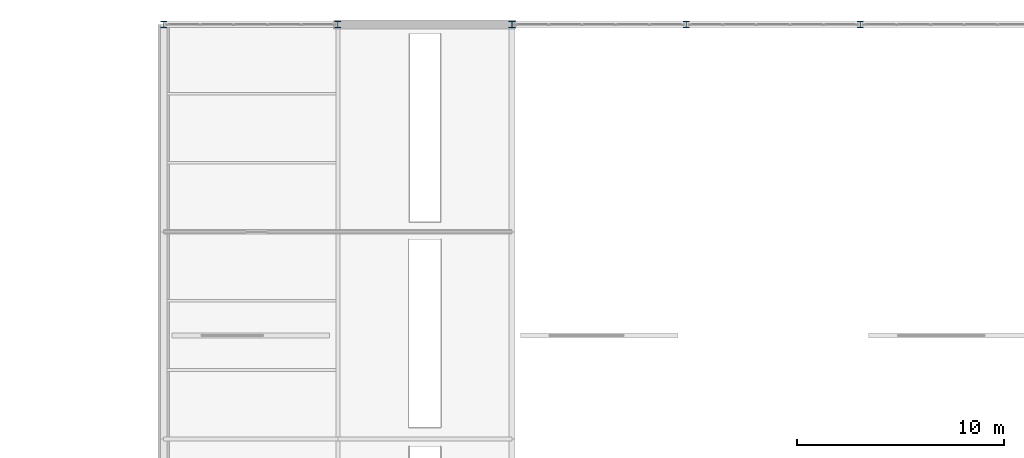
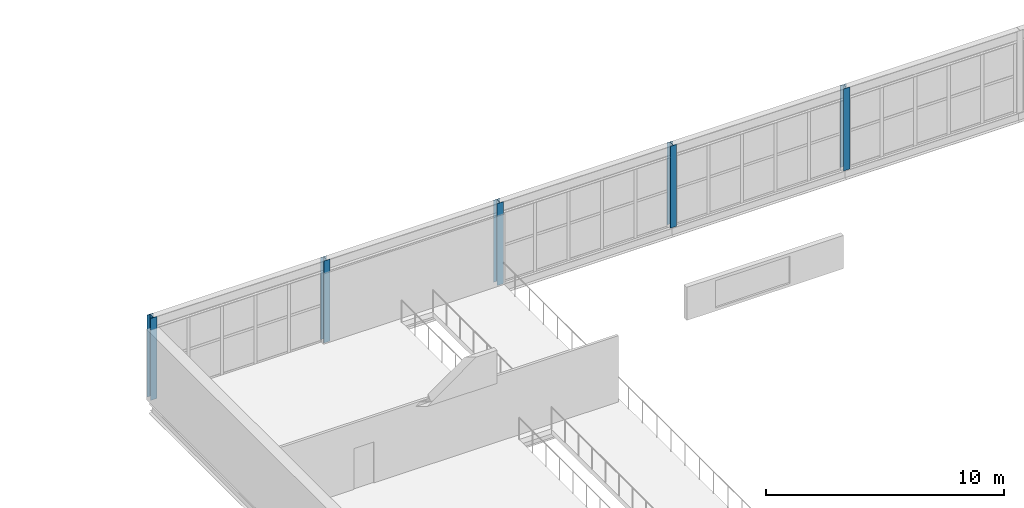
# One storey, part 30 of 218: 5 columns.
"""IFC4 building model written with IfcOpenShell, lengths in metres."""

from ifc_helpers import new_model, si_unit, direction, frame, origin, origin_2d, place, context, subcontext, project, spatial, i_section, extrude, material, material_profile, profile_set, type_object, element, save


model = new_model("IFC4")

# Units and contexts
model_context = context("Model", 3, precision=1e-05, world=origin(), true_north=direction((0.0, 1.0)))
body_context = subcontext(model_context, "Body", "Model", "MODEL_VIEW")
ifc_project = project(units=[si_unit("LENGTHUNIT", "METRE"), si_unit("AREAUNIT", "SQUARE_METRE"), si_unit("VOLUMEUNIT", "CUBIC_METRE"), si_unit("PLANEANGLEUNIT", "RADIAN"), si_unit("MASSUNIT", "GRAM", prefix="KILO")], contexts=[model_context])

# Site, building, storey
site_placement = place(None, origin())
site = spatial("IfcSite", under=ifc_project, at=site_placement, CompositionType="ELEMENT")
building_placement = place(site_placement, origin())
building = spatial("IfcBuilding", under=site, at=building_placement, Name="Kazenagashi Tramway Depot", CompositionType="ELEMENT")
storey_placement = place(building_placement, frame((0.0, 0.0, 6.0)))
storey = spatial("IfcBuildingStorey", under=building, at=storey_placement, Name="L02", CompositionType="ELEMENT", Elevation=6.0)

# Columns
ifc_material = material(Name="Steel SN490B", Category="steel")
ifc_material_profile = material_profile(ifc_material, i_section(OverallWidth=0.3, OverallDepth=0.3, WebThickness=0.01, FlangeThickness=0.015, at=origin_2d()), Name="H-300x300x10x15")
ifc_profile_set = profile_set([ifc_material_profile], Name="Steel SN490B")
column_type = type_object("IfcColumnType", Name="C-05", PredefinedType="COLUMN", material=ifc_profile_set)
for number, where, z_axis, x_axis, name in (
    (1, (44.8, 130.0, 0.0), (0.0, 0.0, 1.0), (1.0, 0.0, 0.0), "Column C-05 COL-0006"),
    (2, (53.2, 130.0, 0.0), (0.0, 0.0, 1.0), (1.0, 0.0, 0.0), "Column C-05 COL-0012"),
    (3, (61.6, 130.0, 0.0), (0.0, 0.0, 1.0), (1.0, 0.0, 0.0), "Column C-05 COL-0018"),
    (4, (70.0, 130.0, 0.0), (0.0, 0.0, 1.0), (1.0, 0.0, 0.0), "Column C-05 COL-0024"),
    (5, (78.4, 130.0, 0.0), (0.0, 0.0, 1.0), (1.0, 0.0, 0.0), "Column C-05 COL-0030"),
):
    element("IfcColumn", number, at=place(storey_placement, frame(where, z_axis=z_axis, x_axis=x_axis)), inside=storey, type_object=column_type, Name=name, PredefinedType="COLUMN", context=body_context, shape_type="SweptSolid", body=[
        extrude(i_section(OverallWidth=0.3, OverallDepth=0.3, WebThickness=0.01, FlangeThickness=0.015, at=origin_2d()), origin(), (0.0, 0.0, 1.0), 4.2),
    ])

save(model, "model.ifc")
